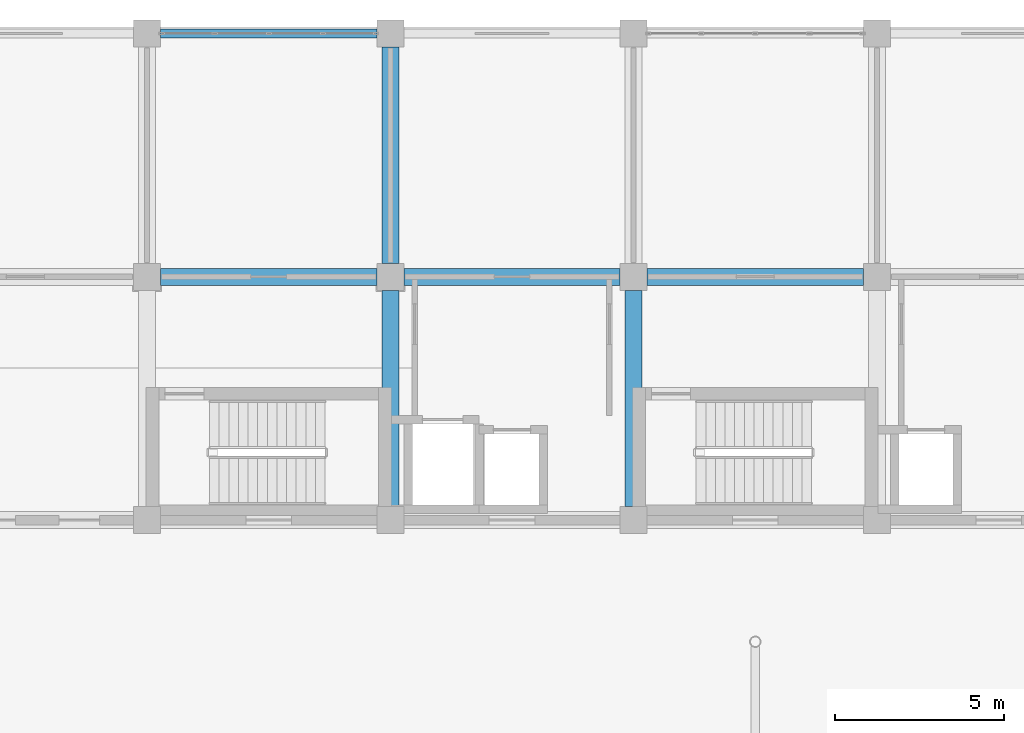
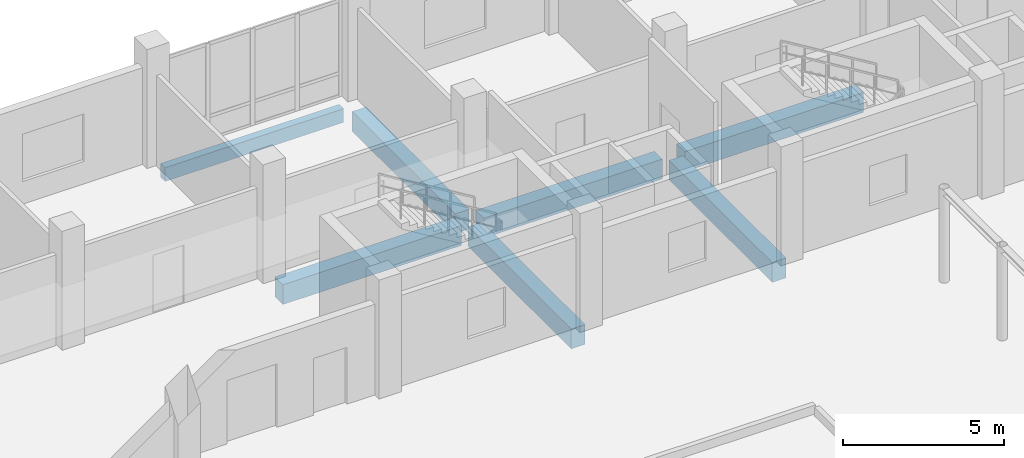
# One storey, part 55 of 139: 7 beams.
"""IFC4 building model written with IfcOpenShell, lengths in metres."""

from ifc_helpers import new_model, si_unit, direction, frame, origin, origin_2d, place, context, subcontext, project, spatial, rectangle, extrude, material, material_profile, profile_set, type_object, element, save


model = new_model("IFC4")

# Units and contexts
model_context = context("Model", 3, precision=1e-05, world=origin(), true_north=direction((0.0, 1.0)))
body_context = subcontext(model_context, "Body", "Model", "MODEL_VIEW")
ifc_project = project(units=[si_unit("LENGTHUNIT", "METRE"), si_unit("AREAUNIT", "SQUARE_METRE"), si_unit("VOLUMEUNIT", "CUBIC_METRE"), si_unit("PLANEANGLEUNIT", "RADIAN"), si_unit("MASSUNIT", "GRAM", prefix="KILO")], contexts=[model_context])

# Site, building, storey
site_placement = place(None, origin())
site = spatial("IfcSite", under=ifc_project, at=site_placement, CompositionType="ELEMENT")
building_placement = place(site_placement, origin())
building = spatial("IfcBuilding", under=site, at=building_placement, Name="Suanplinth Sawtooth Commons", CompositionType="ELEMENT")
storey_placement = place(building_placement, origin())
storey = spatial("IfcBuildingStorey", under=building, at=storey_placement, Name="L00", CompositionType="ELEMENT", Elevation=0.0)

# Beams
ifc_material_1 = material(Name="Concrete C40/50", Category="concrete")
ifc_material_profile_1 = material_profile(ifc_material_1, rectangle(XDim=0.5, YDim=0.75, at=origin_2d()), Name="RC-GDR 500x750")
ifc_profile_set_1 = profile_set([ifc_material_profile_1], Name="Concrete C40/50")
beam_type_1 = type_object("IfcBeamType", Name="B-03", PredefinedType="USERDEFINED", material=ifc_profile_set_1)
for number, where, z_axis, x_axis, name in (
    (1, (43.60009765625, 115.199951171875, -0.784912109375), (1.0, 0.0, 0.0), (0.0, 1.0, 0.0), "BMX-L00-A-6-16"),
    (2, (50.800048828125, 115.199951171875, -0.784912109375), (1.0, 0.0, 0.0), (0.0, 1.0, 0.0), "BMX-L00-A-7-16"),
    (3, (58.0, 115.199951171875, -0.784912109375), (1.0, 0.0, 0.0), (0.0, 1.0, 0.0), "BMX-L00-A-8-16"),
):
    element("IfcBeam", number, at=place(storey_placement, frame(where, z_axis=z_axis, x_axis=x_axis)), inside=storey, type_object=beam_type_1, Name=name, ObjectType="GIRDER", PredefinedType="USERDEFINED", context=body_context, shape_type="SweptSolid", body=[
        extrude(rectangle(XDim=0.5, YDim=0.75, at=origin_2d()), origin(), (0.0, 0.0, 1.0), 6.39990234375),
    ])
beam_1_placement = place(storey_placement, frame((50.39990234375, 108.39990234375, -0.784912109375), z_axis=(0.0, 1.0, 0.0), x_axis=(-1.0, 0.0, 0.0)))
element("IfcBeam", 4, at=beam_1_placement, inside=storey, type_object=beam_type_1, Name="BMY-L00-A-7-15", ObjectType="GIRDER", PredefinedType="USERDEFINED", context=body_context, shape_type="SweptSolid", body=[
    extrude(rectangle(XDim=0.5, YDim=0.75, at=origin_2d()), origin(), (0.0, 0.0, 1.0), 6.400146484375),
])
beam_2_placement = place(storey_placement, frame((50.39990234375, 115.60009765625, -0.784912109375), z_axis=(0.0, 1.0, 0.0), x_axis=(-1.0, 0.0, 0.0)))
element("IfcBeam", 5, at=beam_2_placement, inside=storey, type_object=beam_type_1, Name="BMY-L00-A-7-16", ObjectType="GIRDER", PredefinedType="USERDEFINED", context=body_context, shape_type="SweptSolid", body=[
    extrude(rectangle(XDim=0.5, YDim=0.75, at=origin_2d()), origin(), (0.0, 0.0, 1.0), 6.39990234375),
])
beam_3_placement = place(storey_placement, frame((57.60009765625, 108.39990234375, -0.784912109375), z_axis=(0.0, 1.0, 0.0), x_axis=(-1.0, 0.0, 0.0)))
element("IfcBeam", 6, at=beam_3_placement, inside=storey, type_object=beam_type_1, Name="BMY-L00-A-8-15", ObjectType="GIRDER", PredefinedType="USERDEFINED", context=body_context, shape_type="SweptSolid", body=[
    extrude(rectangle(XDim=0.5, YDim=0.75, at=origin_2d()), origin(), (0.0, 0.0, 1.0), 6.400146484375),
])
ifc_material_2 = material(Name="Precast concrete C40/50", Category="concrete")
ifc_material_profile_2 = material_profile(ifc_material_2, rectangle(XDim=0.280029296875, YDim=0.52001953125, at=origin_2d()), Name="PC-SP 280x520")
ifc_profile_set_2 = profile_set([ifc_material_profile_2], Name="Precast concrete C40/50")
beam_type_2 = type_object("IfcBeamType", Name="B-08", PredefinedType="SPANDREL", material=ifc_profile_set_2)
beam_4_placement = place(storey_placement, frame((43.60009765625, 122.39990234375, -0.669921875), z_axis=(1.0, 0.0, 0.0), x_axis=(0.0, 1.0, 0.0)))
element("IfcBeam", 7, at=beam_4_placement, inside=storey, type_object=beam_type_2, Name="BMX-L00-A-6-17", PredefinedType="SPANDREL", context=body_context, shape_type="SweptSolid", body=[
    extrude(rectangle(XDim=0.280029296875, YDim=0.52001953125, at=origin_2d()), origin(), (0.0, 0.0, 1.0), 6.39990234375),
])

save(model, "model.ifc")
